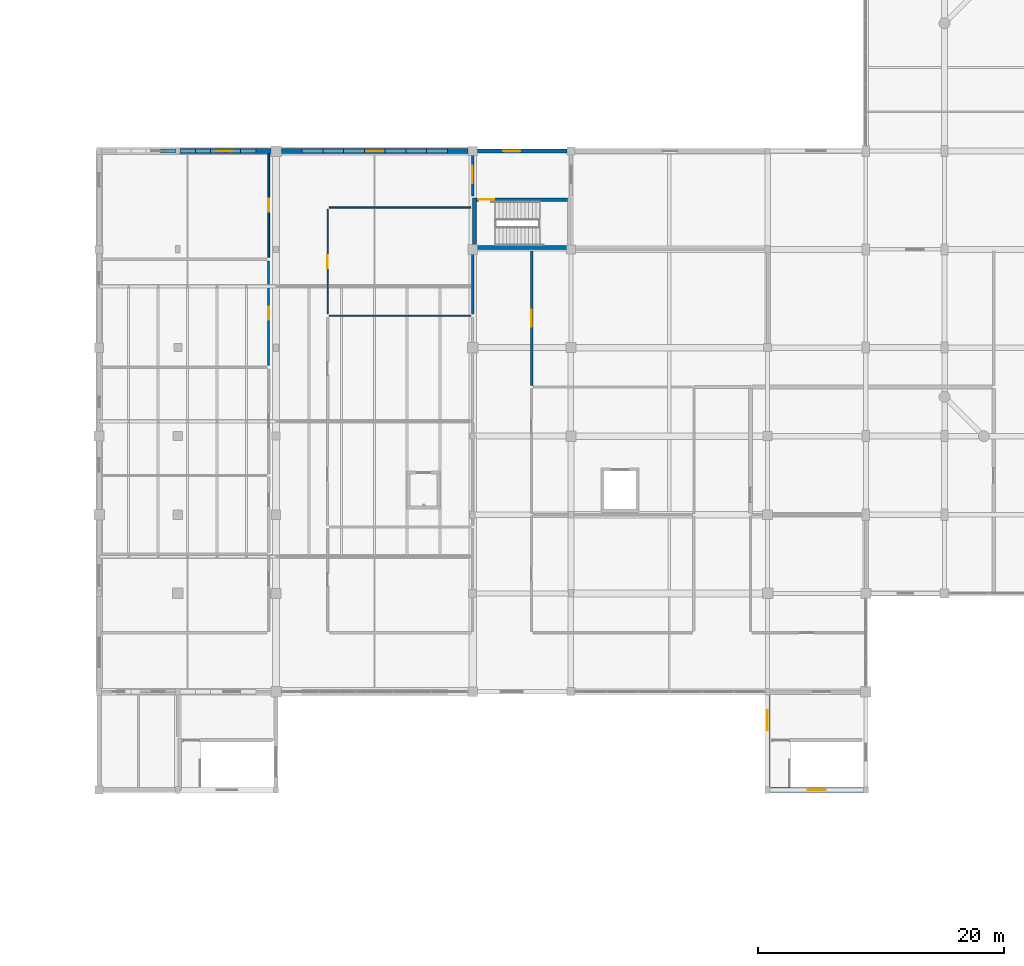
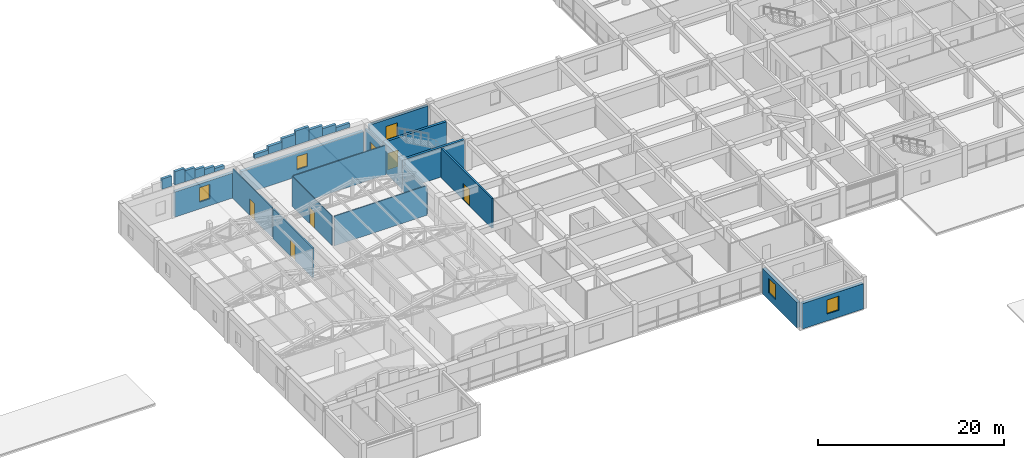
# One storey, part 28 of 35: 29 walls, 6 doors, 5 windows, 11 openings.
"""IFC4 building model written with IfcOpenShell, lengths in metres."""

from ifc_helpers import new_model, si_unit, direction, frame, frame_2d, origin, place, context, subcontext, project, spatial, rectangle, extrude, material, layer, layer_set, type_object, element, fill, save


model = new_model("IFC4")

# Units and contexts
model_context = context("Model", 3, precision=1e-05, world=origin(), true_north=direction((0.0, 1.0)))
body_context = subcontext(model_context, "Body", "Model", "MODEL_VIEW")
ifc_project = project(units=[si_unit("LENGTHUNIT", "METRE"), si_unit("AREAUNIT", "SQUARE_METRE"), si_unit("VOLUMEUNIT", "CUBIC_METRE"), si_unit("PLANEANGLEUNIT", "RADIAN"), si_unit("MASSUNIT", "GRAM", prefix="KILO")], contexts=[model_context])

# Site, building, storey
site_placement = place(None, origin())
site = spatial("IfcSite", under=ifc_project, at=site_placement, CompositionType="ELEMENT")
building_placement = place(site_placement, origin())
building = spatial("IfcBuilding", under=site, at=building_placement, Name="Vellmiral Cinema and Media Centre", CompositionType="ELEMENT")
storey_placement = place(building_placement, frame((0.0, 0.0, 15.60009765625)))
storey = spatial("IfcBuildingStorey", under=building, at=storey_placement, Name="L03", CompositionType="ELEMENT", Elevation=15.60009765625)

# Wall, opening, door
ifc_material_1 = material(Name="Concrete C40/50", Category="concrete")
ifc_layer_1 = layer(ifc_material_1, 0.2099609375, Name="Concrete C40/50")
ifc_layer_set_1 = layer_set([ifc_layer_1], Name="Concrete C40/50")
wall_type_1 = type_object("IfcWallType", Name="WL-COMP-210", PredefinedType="SOLIDWALL", material=ifc_layer_set_1)
wall_1_placement = place(storey_placement, frame((83.199951171875, 76.139892578125, 0.0), z_axis=(0.0, 0.0, 1.0), x_axis=(0.0, 1.0, 0.0)))
wall_1 = element("IfcWall", 1, at=wall_1_placement, inside=storey, type_object=wall_type_1, Name="Media Library Reference Stacks Wall W", PredefinedType="SOLIDWALL", context=body_context, shape_type="SweptSolid", body=[
    extrude(rectangle(XDim=10.920166015625, YDim=0.2099609375, at=frame_2d((5.4599609375, 0.0))), origin(), (0.0, 0.0, 1.0), 3.89990234375),
])
opening_1_placement = place(wall_1_placement, frame((4.760009765625, 0.0, 0.0)))
opening_1 = element("IfcOpeningElement", 2, at=opening_1_placement, cuts=wall_1, Name="Opening D-FD60B", PredefinedType="OPENING", context=body_context, shape_type="SweptSolid", body=[
    extrude(rectangle(XDim=1.39990234375, YDim=2.199951171875, at=frame_2d((0.699951171875, 1.10009765625))), frame((0.0, 0.116943359375, 0.0), z_axis=(0.0, -1.0, 0.0), x_axis=(1.0, 0.0, 0.0)), (0.0, 0.0, 1.0), 0.23388671875),
])
ifc_material_2 = material(Name="Steel Fire Door", Category="steel")
door_type_1 = type_object("IfcDoorType", Name="DR-FD60-1400x2200", OperationType="NOTDEFINED", PredefinedType="DOOR", material=ifc_material_2)
door_1_placement = place(opening_1_placement, frame((1.39990234375, 0.0, 0.0), z_axis=(0.0, 0.0, 1.0), x_axis=(-1.0, 0.0, 0.0)))
door_1 = element("IfcDoor", 3, at=door_1_placement, inside=storey, type_object=door_type_1, Name="Media Library Reference Stacks Door", OperationType="SINGLE_SWING_LEFT", OverallHeight=2.199951171875, OverallWidth=1.39990234375, PredefinedType="DOOR", context=body_context, shape_type="SweptSolid", body=[
    extrude(rectangle(XDim=1.39990234375, YDim=2.199951171875, at=frame_2d((0.699951171875, 1.10009765625))), frame((0.0, 0.02490234375, 0.0), z_axis=(0.0, -1.0, 0.0), x_axis=(1.0, 0.0, 0.0)), (0.0, 0.0, 1.0), 0.050048828125),
])
fill(opening_1, door_1)

# Walls
ifc_material_3 = material(Name="Concrete C40/50", Category="concrete")
ifc_layer_2 = layer(ifc_material_3, 0.300048828125, Name="Concrete C40/50")
ifc_layer_set_2 = layer_set([ifc_layer_2], Name="Concrete C40/50")
wall_type_2 = type_object("IfcWallType", Name="WL-CORE-300", PredefinedType="SHEAR", material=ifc_layer_set_2)
wall_2_placement = place(storey_placement, frame((78.550048828125, 87.199951171875, 0.0), z_axis=(0.0, 0.0, 1.0), x_axis=(0.0, 1.0, 0.0)))
element("IfcWall", 4, at=wall_2_placement, inside=storey, type_object=wall_type_2, Name="Stair Core Wall ST-P5 L03-W", PredefinedType="SHEAR", context=body_context, shape_type="SweptSolid", body=[
    extrude(rectangle(XDim=4.199951171875, YDim=0.300048828125, at=frame_2d((2.10009765625, 0.0))), origin(), (0.0, 0.0, 1.0), 3.89990234375),
])
wall_3_placement = place(storey_placement, frame((78.699951171875, 87.35009765625, 0.0), z_axis=(0.0, 0.0, 1.0), x_axis=(1.0, 0.0, 0.0)))
element("IfcWall", 5, at=wall_3_placement, inside=storey, type_object=wall_type_2, Name="Stair Core Wall ST-P5 L03-S", PredefinedType="SHEAR", context=body_context, shape_type="SweptSolid", body=[
    extrude(rectangle(XDim=7.400146484375, YDim=0.300048828125, at=frame_2d((3.7001953125, 0.0))), origin(), (0.0, 0.0, 1.0), 3.89990234375),
])

# Wall, opening, door
wall_4_placement = place(storey_placement, frame((78.699951171875, 91.25, 0.0), z_axis=(0.0, 0.0, 1.0), x_axis=(1.0, 0.0, 0.0)))
wall_4 = element("IfcWall", 6, at=wall_4_placement, inside=storey, type_object=wall_type_2, Name="Stair Core Wall ST-P5 L03-N", PredefinedType="SHEAR", context=body_context, shape_type="SweptSolid", body=[
    extrude(rectangle(XDim=7.400146484375, YDim=0.300048828125, at=frame_2d((3.7001953125, 0.0))), origin(), (0.0, 0.0, 1.0), 3.89990234375),
])
opening_2_placement = place(wall_4_placement, frame((0.159912109375, 0.0, 0.0)))
opening_2 = element("IfcOpeningElement", 7, at=opening_2_placement, cuts=wall_4, Name="Opening D-FD30A", PredefinedType="OPENING", context=body_context, shape_type="SweptSolid", body=[
    extrude(rectangle(XDim=1.300048828125, YDim=2.179931640625, at=frame_2d((0.64990234375, 1.08984375))), frame((0.0, 0.162109375, 0.0), z_axis=(0.0, -1.0, 0.0), x_axis=(1.0, 0.0, 0.0)), (0.0, 0.0, 1.0), 0.323974609375),
])
ifc_material_4 = material(Name="Steel Stair Fire Door", Category="steel")
door_type_2 = type_object("IfcDoorType", Name="DR-FD30-1300x2180", OperationType="NOTDEFINED", PredefinedType="DOOR", material=ifc_material_4)
door_2_placement = place(opening_2_placement, frame((1.300048828125, 0.0, 0.0), z_axis=(0.0, 0.0, 1.0), x_axis=(-1.0, 0.0, 0.0)))
door_2 = element("IfcDoor", 8, at=door_2_placement, inside=storey, type_object=door_type_2, Name="Protected Stair Door ST-P5 L03", OperationType="SINGLE_SWING_RIGHT", OverallHeight=2.179931640625, OverallWidth=1.300048828125, PredefinedType="DOOR", context=body_context, shape_type="SweptSolid", body=[
    extrude(rectangle(XDim=1.300048828125, YDim=2.179931640625, at=frame_2d((0.64990234375, 1.08984375))), frame((0.0, 0.02490234375, 0.0), z_axis=(0.0, -1.0, 0.0), x_axis=(1.0, 0.0, 0.0)), (0.0, 0.0, 1.0), 0.050048828125),
])
fill(opening_2, door_2)

# Wall, opening, window
ifc_material_5 = material(Name="Polychrome Glazed Ceramic Cladding", Category="masonry")
ifc_layer_3 = layer(ifc_material_5, 0.320068359375, Name="Polychrome Glazed Ceramic Cladding")
ifc_layer_set_3 = layer_set([ifc_layer_3], Name="Polychrome Glazed Ceramic Cladding")
wall_type_3 = type_object("IfcWallType", Name="WL-EXT-BRICK-320", PredefinedType="SOLIDWALL", material=ifc_layer_set_3)
wall_5_placement = place(storey_placement, frame((86.074951171875, 95.199951171875, 0.0), z_axis=(0.0, 0.0, 1.0), x_axis=(-1.0, 0.0, 0.0)))
wall_5 = element("IfcWall", 9, at=wall_5_placement, inside=storey, type_object=wall_type_3, Name="Exterior Facade Wall L03-039", PredefinedType="SOLIDWALL", context=body_context, shape_type="SweptSolid", body=[
    extrude(rectangle(XDim=7.300048828125, YDim=0.320068359375, at=frame_2d((3.64990234375, 0.0))), origin(), (0.0, 0.0, 1.0), 3.594970703125),
])
opening_3_placement = place(wall_5_placement, frame((3.800048828125, 0.0, 0.89990234375)))
opening_3 = element("IfcOpeningElement", 10, at=opening_3_placement, cuts=wall_5, Name="Opening WN-07", PredefinedType="OPENING", context=body_context, shape_type="SweptSolid", body=[
    extrude(rectangle(XDim=1.39990234375, YDim=1.800048828125, at=frame_2d((0.699951171875, 0.89990234375))), frame((0.0, 0.171875, 0.0), z_axis=(0.0, -1.0, 0.0), x_axis=(1.0, 0.0, 0.0)), (0.0, 0.0, 1.0), 0.343994140625),
])
ifc_material_6 = material(Name="Thermally Broken Aluminium Triple Glazing", Category="aluminium")
window_type_1 = type_object("IfcWindowType", Name="WN-1400x1800", PartitioningType="SINGLE_PANEL", PredefinedType="WINDOW", material=ifc_material_6)
window_1_placement = place(opening_3_placement, origin())
window_1 = element("IfcWindow", 11, at=window_1_placement, inside=storey, type_object=window_type_1, Name="Window L03-039", OverallHeight=1.800048828125, OverallWidth=1.39990234375, PartitioningType="SINGLE_PANEL", PredefinedType="WINDOW", context=body_context, shape_type="SweptSolid", body=[
    extrude(rectangle(XDim=1.39990234375, YDim=1.800048828125, at=frame_2d((0.699951171875, 0.89990234375))), frame((0.0, 0.030029296875, 0.0), z_axis=(0.0, -1.0, 0.0), x_axis=(1.0, 0.0, 0.0)), (0.0, 0.0, 1.0), 0.06005859375),
])
fill(opening_3, window_1)

# Walls
ifc_material_7 = material(Name="Vosges Red Sandstone Masonry", Category="masonry")
ifc_layer_4 = layer(ifc_material_7, 0.340087890625, Name="Vosges Red Sandstone Masonry")
ifc_layer_set_4 = layer_set([ifc_layer_4], Name="Vosges Red Sandstone Masonry")
wall_type_4 = type_object("IfcWallType", Name="WL-EXT-SAND-340", PredefinedType="SOLIDWALL", material=ifc_layer_set_4)
wall_6_placement = place(storey_placement, frame((53.0, 95.199951171875, 4.199951171875), z_axis=(0.0, 0.0, 1.0), x_axis=(1.0, 0.0, 0.0)))
element("IfcWall", 12, at=wall_6_placement, inside=storey, type_object=wall_type_4, Name="Central Media Library West Barrel Vault Gable End Wall N-4", PredefinedType="SOLIDWALL", context=body_context, shape_type="SweptSolid", body=[
    extrude(rectangle(XDim=1.199951171875, YDim=0.340087890625, at=frame_2d((0.60009765625, 0.0))), origin(), (0.0, 0.0, 1.0), 1.339599609375),
])
wall_7_placement = place(storey_placement, frame((54.60009765625, 95.199951171875, 4.199951171875), z_axis=(0.0, 0.0, 1.0), x_axis=(1.0, 0.0, 0.0)))
element("IfcWall", 13, at=wall_7_placement, inside=storey, type_object=wall_type_4, Name="Central Media Library West Barrel Vault Gable End Wall N-5", PredefinedType="SOLIDWALL", context=body_context, shape_type="SweptSolid", body=[
    extrude(rectangle(XDim=1.22900390625, YDim=0.340087890625, at=frame_2d((0.614501953125, 0.0))), origin(), (0.0, 0.0, 1.0), 1.760498046875),
])
wall_8_placement = place(storey_placement, frame((55.8291015625, 95.199951171875, 4.199951171875), z_axis=(0.0, 0.0, 1.0), x_axis=(1.0, 0.0, 0.0)))
element("IfcWall", 14, at=wall_8_placement, inside=storey, type_object=wall_type_4, Name="Central Media Library West Barrel Vault Gable End Wall N-6", PredefinedType="SOLIDWALL", context=body_context, shape_type="SweptSolid", body=[
    extrude(rectangle(XDim=1.229248046875, YDim=0.340087890625, at=frame_2d((0.61474609375, 0.0))), origin(), (0.0, 0.0, 1.0), 1.43115234375),
])
wall_9_placement = place(storey_placement, frame((57.058349609375, 95.199951171875, 4.199951171875), z_axis=(0.0, 0.0, 1.0), x_axis=(1.0, 0.0, 0.0)))
element("IfcWall", 15, at=wall_9_placement, inside=storey, type_object=wall_type_4, Name="Central Media Library West Barrel Vault Gable End Wall N-7", PredefinedType="SOLIDWALL", context=body_context, shape_type="SweptSolid", body=[
    extrude(rectangle(XDim=1.229248046875, YDim=0.340087890625, at=frame_2d((0.61474609375, 0.0))), origin(), (0.0, 0.0, 1.0), 1.101806640625),
])
wall_10_placement = place(storey_placement, frame((58.28759765625, 95.199951171875, 4.199951171875), z_axis=(0.0, 0.0, 1.0), x_axis=(1.0, 0.0, 0.0)))
element("IfcWall", 16, at=wall_10_placement, inside=storey, type_object=wall_type_4, Name="Central Media Library West Barrel Vault Gable End Wall N-8", PredefinedType="SOLIDWALL", context=body_context, shape_type="SweptSolid", body=[
    extrude(rectangle(XDim=1.22900390625, YDim=0.340087890625, at=frame_2d((0.614501953125, 0.0))), origin(), (0.0, 0.0, 1.0), 0.7724609375),
])
wall_11_placement = place(storey_placement, frame((59.5166015625, 95.199951171875, 4.199951171875), z_axis=(0.0, 0.0, 1.0), x_axis=(1.0, 0.0, 0.0)))
element("IfcWall", 17, at=wall_11_placement, inside=storey, type_object=wall_type_4, Name="Central Media Library West Barrel Vault Gable End Wall N-9", PredefinedType="SOLIDWALL", context=body_context, shape_type="SweptSolid", body=[
    extrude(rectangle(XDim=1.229248046875, YDim=0.340087890625, at=frame_2d((0.61474609375, 0.0))), origin(), (0.0, 0.0, 1.0), 0.443115234375),
])
wall_12_placement = place(storey_placement, frame((64.513916015625, 95.199951171875, 4.199951171875), z_axis=(0.0, 0.0, 1.0), x_axis=(1.0, 0.0, 0.0)))
element("IfcWall", 18, at=wall_12_placement, inside=storey, type_object=wall_type_4, Name="Central Editing Hall East Barrel Vault Gable End Wall N-1", PredefinedType="SOLIDWALL", context=body_context, shape_type="SweptSolid", body=[
    extrude(rectangle(XDim=1.68896484375, YDim=0.340087890625, at=frame_2d((0.844482421875, 0.0))), origin(), (0.0, 0.0, 1.0), 0.546630859375),
])
wall_13_placement = place(storey_placement, frame((66.202880859375, 95.199951171875, 4.199951171875), z_axis=(0.0, 0.0, 1.0), x_axis=(1.0, 0.0, 0.0)))
element("IfcWall", 19, at=wall_13_placement, inside=storey, type_object=wall_type_4, Name="Central Editing Hall East Barrel Vault Gable End Wall N-2", PredefinedType="SOLIDWALL", context=body_context, shape_type="SweptSolid", body=[
    extrude(rectangle(XDim=1.688720703125, YDim=0.340087890625, at=frame_2d((0.84423828125, 0.0))), origin(), (0.0, 0.0, 1.0), 0.9833984375),
])
wall_14_placement = place(storey_placement, frame((67.8916015625, 95.199951171875, 4.199951171875), z_axis=(0.0, 0.0, 1.0), x_axis=(1.0, 0.0, 0.0)))
element("IfcWall", 20, at=wall_14_placement, inside=storey, type_object=wall_type_4, Name="Central Editing Hall East Barrel Vault Gable End Wall N-3", PredefinedType="SOLIDWALL", context=body_context, shape_type="SweptSolid", body=[
    extrude(rectangle(XDim=1.68896484375, YDim=0.340087890625, at=frame_2d((0.844482421875, 0.0))), origin(), (0.0, 0.0, 1.0), 1.420166015625),
])
wall_15_placement = place(storey_placement, frame((69.58056640625, 95.199951171875, 4.199951171875), z_axis=(0.0, 0.0, 1.0), x_axis=(1.0, 0.0, 0.0)))
element("IfcWall", 21, at=wall_15_placement, inside=storey, type_object=wall_type_4, Name="Central Editing Hall East Barrel Vault Gable End Wall N-4", PredefinedType="SOLIDWALL", context=body_context, shape_type="SweptSolid", body=[
    extrude(rectangle(XDim=1.688720703125, YDim=0.340087890625, at=frame_2d((0.84423828125, 0.0))), origin(), (0.0, 0.0, 1.0), 1.843994140625),
])
wall_16_placement = place(storey_placement, frame((71.269287109375, 95.199951171875, 4.199951171875), z_axis=(0.0, 0.0, 1.0), x_axis=(1.0, 0.0, 0.0)))
element("IfcWall", 22, at=wall_16_placement, inside=storey, type_object=wall_type_4, Name="Central Editing Hall East Barrel Vault Gable End Wall N-5", PredefinedType="SOLIDWALL", context=body_context, shape_type="SweptSolid", body=[
    extrude(rectangle(XDim=1.68896484375, YDim=0.340087890625, at=frame_2d((0.844482421875, 0.0))), origin(), (0.0, 0.0, 1.0), 1.4072265625),
])
wall_17_placement = place(storey_placement, frame((72.958251953125, 95.199951171875, 4.199951171875), z_axis=(0.0, 0.0, 1.0), x_axis=(1.0, 0.0, 0.0)))
element("IfcWall", 23, at=wall_17_placement, inside=storey, type_object=wall_type_4, Name="Central Editing Hall East Barrel Vault Gable End Wall N-6", PredefinedType="SOLIDWALL", context=body_context, shape_type="SweptSolid", body=[
    extrude(rectangle(XDim=1.68896484375, YDim=0.340087890625, at=frame_2d((0.844482421875, 0.0))), origin(), (0.0, 0.0, 1.0), 0.970458984375),
])
wall_18_placement = place(storey_placement, frame((74.647216796875, 95.199951171875, 4.199951171875), z_axis=(0.0, 0.0, 1.0), x_axis=(1.0, 0.0, 0.0)))
element("IfcWall", 24, at=wall_18_placement, inside=storey, type_object=wall_type_4, Name="Central Editing Hall East Barrel Vault Gable End Wall N-7", PredefinedType="SOLIDWALL", context=body_context, shape_type="SweptSolid", body=[
    extrude(rectangle(XDim=1.68896484375, YDim=0.340087890625, at=frame_2d((0.844482421875, 0.0))), origin(), (0.0, 0.0, 1.0), 0.53369140625),
])

# Wall, opening, window
ifc_material_8 = material(Name="Vosges Red Sandstone Masonry", Category="masonry")
ifc_layer_5 = layer(ifc_material_8, 0.3798828125, Name="Vosges Red Sandstone Masonry")
ifc_layer_set_5 = layer_set([ifc_layer_5], Name="Vosges Red Sandstone Masonry")
wall_type_5 = type_object("IfcWallType", Name="WL-EXT-SAND-380", PredefinedType="SOLIDWALL", material=ifc_layer_set_5)
wall_19_placement = place(storey_placement, frame((102.39990234375, 50.949951171875, 0.0), z_axis=(0.0, 0.0, 1.0), x_axis=(0.0, -1.0, 0.0)))
wall_19 = element("IfcWall", 25, at=wall_19_placement, inside=storey, type_object=wall_type_5, Name="Exterior Facade Wall L03-007", PredefinedType="SOLIDWALL", context=body_context, shape_type="SweptSolid", body=[
    extrude(rectangle(XDim=7.449951171875, YDim=0.3798828125, at=frame_2d((3.72509765625, 0.0))), origin(), (0.0, 0.0, 1.0), 3.3349609375),
])
opening_4_placement = place(wall_19_placement, frame((1.27490234375, 0.0, 0.89990234375)))
opening_4 = element("IfcOpeningElement", 26, at=opening_4_placement, cuts=wall_19, Name="Opening WN-05", PredefinedType="OPENING", context=body_context, shape_type="SweptSolid", body=[
    extrude(rectangle(XDim=1.60009765625, YDim=1.949951171875, at=frame_2d((0.800048828125, 0.97509765625))), frame((0.0, 0.201904296875, 0.0), z_axis=(0.0, -1.0, 0.0), x_axis=(1.0, 0.0, 0.0)), (0.0, 0.0, 1.0), 0.40380859375),
])
ifc_material_9 = material(Name="Thermally Broken Aluminium Triple Glazing", Category="aluminium")
window_type_2 = type_object("IfcWindowType", Name="WN-1600x1950", PartitioningType="DOUBLE_PANEL_VERTICAL", PredefinedType="WINDOW", material=ifc_material_9)
window_2_placement = place(opening_4_placement, origin())
window_2 = element("IfcWindow", 27, at=window_2_placement, inside=storey, type_object=window_type_2, Name="Window L03-007", OverallHeight=1.949951171875, OverallWidth=1.60009765625, PartitioningType="DOUBLE_PANEL_VERTICAL", PredefinedType="WINDOW", context=body_context, shape_type="SweptSolid", body=[
    extrude(rectangle(XDim=1.60009765625, YDim=1.949951171875, at=frame_2d((0.800048828125, 0.97509765625))), frame((0.0, 0.030029296875, 0.0), z_axis=(0.0, -1.0, 0.0), x_axis=(1.0, 0.0, 0.0)), (0.0, 0.0, 1.0), 0.06005859375),
])
fill(opening_4, window_2)

wall_20_placement = place(storey_placement, frame((102.60009765625, 43.199951171875, 0.0), z_axis=(0.0, 0.0, 1.0), x_axis=(1.0, 0.0, 0.0)))
wall_20 = element("IfcWall", 28, at=wall_20_placement, inside=storey, type_object=wall_type_5, Name="Exterior Facade Wall L03-008", PredefinedType="SOLIDWALL", context=body_context, shape_type="SweptSolid", body=[
    extrude(rectangle(XDim=7.599853515625, YDim=0.3798828125, at=frame_2d((3.7998046875, 0.0))), origin(), (0.0, 0.0, 1.0), 3.3349609375),
])
opening_5_placement = place(wall_20_placement, frame((3.050048828125, 0.0, 0.89990234375)))
opening_5 = element("IfcOpeningElement", 29, at=opening_5_placement, cuts=wall_20, Name="Opening WN-06", PredefinedType="OPENING", context=body_context, shape_type="SweptSolid", body=[
    extrude(rectangle(XDim=1.5, YDim=1.85009765625, at=frame_2d((0.75, 0.925048828125))), frame((0.0, 0.201904296875, 0.0), z_axis=(0.0, -1.0, 0.0), x_axis=(1.0, 0.0, 0.0)), (0.0, 0.0, 1.0), 0.40380859375),
])
ifc_material_10 = material(Name="Thermally Broken Aluminium Triple Glazing", Category="aluminium")
window_type_3 = type_object("IfcWindowType", Name="WN-1500x1850", PartitioningType="SINGLE_PANEL", PredefinedType="WINDOW", material=ifc_material_10)
window_3_placement = place(opening_5_placement, origin())
window_3 = element("IfcWindow", 30, at=window_3_placement, inside=storey, type_object=window_type_3, Name="Window L03-008", OverallHeight=1.85009765625, OverallWidth=1.5, PartitioningType="SINGLE_PANEL", PredefinedType="WINDOW", context=body_context, shape_type="SweptSolid", body=[
    extrude(rectangle(XDim=1.5, YDim=1.85009765625, at=frame_2d((0.75, 0.925048828125))), frame((0.0, 0.030029296875, 0.0), z_axis=(0.0, -1.0, 0.0), x_axis=(1.0, 0.0, 0.0)), (0.0, 0.0, 1.0), 0.06005859375),
])
fill(opening_5, window_3)

wall_21_placement = place(storey_placement, frame((78.02490234375, 95.199951171875, 0.0), z_axis=(0.0, 0.0, 1.0), x_axis=(-1.0, 0.0, 0.0)))
wall_21 = element("IfcWall", 31, at=wall_21_placement, inside=storey, type_object=wall_type_5, Name="Exterior Facade Wall L03-040", PredefinedType="SOLIDWALL", context=body_context, shape_type="SweptSolid", body=[
    extrude(rectangle(XDim=15.199951171875, YDim=0.3798828125, at=frame_2d((7.60009765625, 0.0))), origin(), (0.0, 0.0, 1.0), 3.08984375),
])
opening_6_placement = place(wall_21_placement, frame((6.925048828125, 0.0, 0.89990234375)))
opening_6 = element("IfcOpeningElement", 32, at=opening_6_placement, cuts=wall_21, Name="Opening WN-08", PredefinedType="OPENING", context=body_context, shape_type="SweptSolid", body=[
    extrude(rectangle(XDim=1.35009765625, YDim=1.75, at=frame_2d((0.675048828125, 0.875))), frame((0.0, 0.201904296875, 0.0), z_axis=(0.0, -1.0, 0.0), x_axis=(1.0, 0.0, 0.0)), (0.0, 0.0, 1.0), 0.40380859375),
])
ifc_material_11 = material(Name="Thermally Broken Aluminium Triple Glazing", Category="aluminium")
window_type_4 = type_object("IfcWindowType", Name="WN-1350x1750", PartitioningType="SINGLE_PANEL", PredefinedType="WINDOW", material=ifc_material_11)
window_4_placement = place(opening_6_placement, origin())
window_4 = element("IfcWindow", 33, at=window_4_placement, inside=storey, type_object=window_type_4, Name="Window L03-040", OverallHeight=1.75, OverallWidth=1.35009765625, PartitioningType="SINGLE_PANEL", PredefinedType="WINDOW", context=body_context, shape_type="SweptSolid", body=[
    extrude(rectangle(XDim=1.35009765625, YDim=1.75, at=frame_2d((0.675048828125, 0.875))), frame((0.0, 0.030029296875, 0.0), z_axis=(0.0, -1.0, 0.0), x_axis=(1.0, 0.0, 0.0)), (0.0, 0.0, 1.0), 0.06005859375),
])
fill(opening_6, window_4)

wall_22_placement = place(storey_placement, frame((61.97509765625, 95.199951171875, 0.0), z_axis=(0.0, 0.0, 1.0), x_axis=(-1.0, 0.0, 0.0)))
wall_22 = element("IfcWall", 34, at=wall_22_placement, inside=storey, type_object=wall_type_5, Name="Exterior Facade Wall L03-041", PredefinedType="SOLIDWALL", context=body_context, shape_type="SweptSolid", body=[
    extrude(rectangle(XDim=7.375, YDim=0.3798828125, at=frame_2d((3.6875, 0.0))), origin(), (0.0, 0.0, 1.0), 3.2998046875),
])
opening_7_placement = place(wall_22_placement, frame((3.0625, 0.0, 0.89990234375)))
opening_7 = element("IfcOpeningElement", 35, at=opening_7_placement, cuts=wall_22, Name="Opening WN-09", PredefinedType="OPENING", context=body_context, shape_type="SweptSolid", body=[
    extrude(rectangle(XDim=1.25, YDim=1.89990234375, at=frame_2d((0.625, 0.949951171875))), frame((0.0, 0.201904296875, 0.0), z_axis=(0.0, -1.0, 0.0), x_axis=(1.0, 0.0, 0.0)), (0.0, 0.0, 1.0), 0.40380859375),
])
ifc_material_12 = material(Name="Thermally Broken Aluminium Triple Glazing", Category="aluminium")
window_type_5 = type_object("IfcWindowType", Name="WN-1250x1900", PartitioningType="SINGLE_PANEL", PredefinedType="WINDOW", material=ifc_material_12)
window_5_placement = place(opening_7_placement, origin())
window_5 = element("IfcWindow", 36, at=window_5_placement, inside=storey, type_object=window_type_5, Name="Window L03-041", OverallHeight=1.89990234375, OverallWidth=1.25, PartitioningType="SINGLE_PANEL", PredefinedType="WINDOW", context=body_context, shape_type="SweptSolid", body=[
    extrude(rectangle(XDim=1.25, YDim=1.89990234375, at=frame_2d((0.625, 0.949951171875))), frame((0.0, 0.030029296875, 0.0), z_axis=(0.0, -1.0, 0.0), x_axis=(1.0, 0.0, 0.0)), (0.0, 0.0, 1.0), 0.06005859375),
])
fill(opening_7, window_5)

# Wall, opening, door
ifc_material_13 = material(Name="Concrete C40/50", Category="concrete")
ifc_layer_6 = layer(ifc_material_13, 0.22998046875, Name="Concrete C40/50")
ifc_layer_set_6 = layer_set([ifc_layer_6], Name="Concrete C40/50")
wall_type_6 = type_object("IfcWallType", Name="WL-FFL-230", PredefinedType="SOLIDWALL", material=ifc_layer_set_6)
wall_23_placement = place(storey_placement, frame((78.39990234375, 91.5400390625, 0.0), z_axis=(0.0, 0.0, 1.0), x_axis=(0.0, 1.0, 0.0)))
wall_23 = element("IfcWall", 37, at=wall_23_placement, inside=storey, type_object=wall_type_6, Name="Firefighting Stair Lobby ST-P5 Wall W", PredefinedType="SOLIDWALL", context=body_context, shape_type="SweptSolid", body=[
    extrude(rectangle(XDim=3.554931640625, YDim=0.22998046875, at=frame_2d((1.77734375, 0.0))), origin(), (0.0, 0.0, 1.0), 3.2998046875),
])
opening_8_placement = place(wall_23_placement, frame((1.06005859375, 0.0, 0.0)))
opening_8 = element("IfcOpeningElement", 38, at=opening_8_placement, cuts=wall_23, Name="Opening D-FD60B", PredefinedType="OPENING", context=body_context, shape_type="SweptSolid", body=[
    extrude(rectangle(XDim=1.39990234375, YDim=2.199951171875, at=frame_2d((0.699951171875, 1.10009765625))), frame((0.0, 0.126953125, 0.0), z_axis=(0.0, -1.0, 0.0), x_axis=(1.0, 0.0, 0.0)), (0.0, 0.0, 1.0), 0.25390625),
])
door_3_placement = place(opening_8_placement, frame((1.39990234375, 0.0, 0.0), z_axis=(0.0, 0.0, 1.0), x_axis=(-1.0, 0.0, 0.0)))
door_3 = element("IfcDoor", 39, at=door_3_placement, inside=storey, type_object=door_type_1, Name="Firefighting Stair Lobby ST-P5 Door", OperationType="SINGLE_SWING_LEFT", OverallHeight=2.199951171875, OverallWidth=1.39990234375, PredefinedType="DOOR", context=body_context, shape_type="SweptSolid", body=[
    extrude(rectangle(XDim=1.39990234375, YDim=2.199951171875, at=frame_2d((0.699951171875, 1.10009765625))), frame((0.0, 0.02490234375, 0.0), z_axis=(0.0, -1.0, 0.0), x_axis=(1.0, 0.0, 0.0)), (0.0, 0.0, 1.0), 0.050048828125),
])
fill(opening_8, door_3)

# Wall
ifc_material_14 = material(Name="Gypsum Plasterboard")
ifc_layer_7 = layer(ifc_material_14, 0.02490234375, Name="Gypsum Plasterboard", Category="gypsum")
ifc_material_15 = material(Name="Mineral Wool Acoustic Insulation", Category="insulation")
ifc_layer_8 = layer(ifc_material_15, 0.06005859375, Name="Mineral Wool Acoustic Insulation", Category="insulation")
ifc_layer_9 = layer(ifc_material_14, 0.02490234375, Name="Gypsum Plasterboard", Category="gypsum")
ifc_layer_set_7 = layer_set([ifc_layer_7, ifc_layer_8, ifc_layer_9], Name="Gypsum Plasterboard")
wall_type_7 = type_object("IfcWallType", Name="WL-PART-110", PredefinedType="PARTITIONING", material=ifc_layer_set_7)
wall_24_placement = place(storey_placement, frame((66.739990234375, 81.800048828125, 0.0), z_axis=(0.0, 0.0, 1.0), x_axis=(1.0, 0.0, 0.0)))
element("IfcWall", 40, at=wall_24_placement, inside=storey, type_object=wall_type_7, Name="Editing Suite 08 Wall N", PredefinedType="PARTITIONING", context=body_context, shape_type="SweptSolid", body=[
    extrude(rectangle(XDim=11.52001953125, YDim=0.110107421875, at=frame_2d((5.760009765625, 0.0))), origin(), (0.0, 0.0, 1.0), 3.89990234375),
])

# Wall, opening, door
wall_25_placement = place(storey_placement, frame((66.60009765625, 81.93994140625, 0.0), z_axis=(0.0, 0.0, 1.0), x_axis=(0.0, 1.0, 0.0)))
wall_25 = element("IfcWall", 41, at=wall_25_placement, inside=storey, type_object=wall_type_7, Name="Editing Suite 09 Wall W", PredefinedType="PARTITIONING", context=body_context, shape_type="SweptSolid", body=[
    extrude(rectangle(XDim=8.52001953125, YDim=0.110107421875, at=frame_2d((4.260009765625, 0.0))), origin(), (0.0, 0.0, 1.0), 3.89990234375),
])
opening_9_placement = place(wall_25_placement, frame((3.735107421875, 0.0, 0.0)))
opening_9 = element("IfcOpeningElement", 42, at=opening_9_placement, cuts=wall_25, Name="Opening D-AC6", PredefinedType="OPENING", context=body_context, shape_type="SweptSolid", body=[
    extrude(rectangle(XDim=1.050048828125, YDim=2.14990234375, at=frame_2d((0.52490234375, 1.074951171875))), frame((0.0, 0.06689453125, 0.0), z_axis=(0.0, -1.0, 0.0), x_axis=(1.0, 0.0, 0.0)), (0.0, 0.0, 1.0), 0.134033203125),
])
ifc_material_16 = material(Name="Acoustic Editing Suite Door", Category="wood")
door_type_3 = type_object("IfcDoorType", Name="DR-AC-1050x2150", OperationType="NOTDEFINED", PredefinedType="DOOR", material=ifc_material_16)
door_4_placement = place(opening_9_placement, frame((1.050048828125, 0.0, 0.0), z_axis=(0.0, 0.0, 1.0), x_axis=(-1.0, 0.0, 0.0)))
door_4 = element("IfcDoor", 43, at=door_4_placement, inside=storey, type_object=door_type_3, Name="Editing Suite 09 Door", OperationType="SINGLE_SWING_LEFT", OverallHeight=2.14990234375, OverallWidth=1.050048828125, PredefinedType="DOOR", context=body_context, shape_type="SweptSolid", body=[
    extrude(rectangle(XDim=1.050048828125, YDim=2.14990234375, at=frame_2d((0.52490234375, 1.074951171875))), frame((0.0, 0.02490234375, 0.0), z_axis=(0.0, -1.0, 0.0), x_axis=(1.0, 0.0, 0.0)), (0.0, 0.0, 1.0), 0.050048828125),
])
fill(opening_9, door_4)

ifc_material_17 = material(Name="Gypsum Plasterboard")
ifc_layer_10 = layer(ifc_material_17, 0.02490234375, Name="Gypsum Plasterboard", Category="gypsum")
ifc_material_18 = material(Name="Mineral Wool Acoustic Insulation", Category="insulation")
ifc_layer_11 = layer(ifc_material_18, 0.080078125, Name="Mineral Wool Acoustic Insulation", Category="insulation")
ifc_layer_12 = layer(ifc_material_17, 0.02490234375, Name="Gypsum Plasterboard", Category="gypsum")
ifc_layer_set_8 = layer_set([ifc_layer_10, ifc_layer_11, ifc_layer_12], Name="Gypsum Plasterboard")
wall_type_8 = type_object("IfcWallType", Name="WL-PART-130", PredefinedType="PARTITIONING", material=ifc_layer_set_8)
wall_26_placement = place(storey_placement, frame((61.800048828125, 86.5400390625, 0.0), z_axis=(0.0, 0.0, 1.0), x_axis=(0.0, 1.0, 0.0)))
wall_26 = element("IfcWall", 44, at=wall_26_placement, inside=storey, type_object=wall_type_8, Name="Editing Suite 05 Wall E", PredefinedType="PARTITIONING", context=body_context, shape_type="SweptSolid", body=[
    extrude(rectangle(XDim=8.455078125, YDim=0.1298828125, at=frame_2d((4.2275390625, 0.0))), origin(), (0.0, 0.0, 1.0), 3.89990234375),
])
opening_10_placement = place(wall_26_placement, frame((3.735107421875, 0.0, 0.0)))
opening_10 = element("IfcOpeningElement", 45, at=opening_10_placement, cuts=wall_26, Name="Opening D-AC6", PredefinedType="OPENING", context=body_context, shape_type="SweptSolid", body=[
    extrude(rectangle(XDim=1.050048828125, YDim=2.14990234375, at=frame_2d((0.52490234375, 1.074951171875))), frame((0.0, 0.076904296875, 0.0), z_axis=(0.0, -1.0, 0.0), x_axis=(1.0, 0.0, 0.0)), (0.0, 0.0, 1.0), 0.15380859375),
])
door_5_placement = place(opening_10_placement, origin())
door_5 = element("IfcDoor", 46, at=door_5_placement, inside=storey, type_object=door_type_3, Name="Editing Suite 05 Door", OperationType="SINGLE_SWING_LEFT", OverallHeight=2.14990234375, OverallWidth=1.050048828125, PredefinedType="DOOR", context=body_context, shape_type="SweptSolid", body=[
    extrude(rectangle(XDim=1.050048828125, YDim=2.14990234375, at=frame_2d((0.52490234375, 1.074951171875))), frame((0.0, 0.02490234375, 0.0), z_axis=(0.0, -1.0, 0.0), x_axis=(1.0, 0.0, 0.0)), (0.0, 0.0, 1.0), 0.050048828125),
])
fill(opening_10, door_5)

# Wall
wall_27_placement = place(storey_placement, frame((66.739990234375, 90.60009765625, 0.0), z_axis=(0.0, 0.0, 1.0), x_axis=(1.0, 0.0, 0.0)))
element("IfcWall", 47, at=wall_27_placement, inside=storey, type_object=wall_type_8, Name="Editing Suite 09 Wall N", PredefinedType="PARTITIONING", context=body_context, shape_type="SweptSolid", body=[
    extrude(rectangle(XDim=11.52001953125, YDim=0.1298828125, at=frame_2d((5.760009765625, 0.0))), origin(), (0.0, 0.0, 1.0), 3.89990234375),
])

# Wall, opening, door
ifc_material_19 = material(Name="Gypsum Plasterboard")
ifc_layer_13 = layer(ifc_material_19, 0.02490234375, Name="Gypsum Plasterboard", Category="gypsum")
ifc_material_20 = material(Name="Mineral Wool Acoustic Insulation", Category="insulation")
ifc_layer_14 = layer(ifc_material_20, 0.1201171875, Name="Mineral Wool Acoustic Insulation", Category="insulation")
ifc_layer_15 = layer(ifc_material_19, 0.02490234375, Name="Gypsum Plasterboard", Category="gypsum")
ifc_layer_set_9 = layer_set([ifc_layer_13, ifc_layer_14, ifc_layer_15], Name="Gypsum Plasterboard")
wall_type_9 = type_object("IfcWallType", Name="WL-PART-170", PredefinedType="PARTITIONING", material=ifc_layer_set_9)
wall_28_placement = place(storey_placement, frame((61.800048828125, 77.739990234375, 0.0), z_axis=(0.0, 0.0, 1.0), x_axis=(0.0, 1.0, 0.0)))
wall_28 = element("IfcWall", 48, at=wall_28_placement, inside=storey, type_object=wall_type_9, Name="Editing Suite 04 Wall E", PredefinedType="PARTITIONING", context=body_context, shape_type="SweptSolid", body=[
    extrude(rectangle(XDim=8.52001953125, YDim=0.169921875, at=frame_2d((4.260009765625, 0.0))), origin(), (0.0, 0.0, 1.0), 3.89990234375),
])
opening_11_placement = place(wall_28_placement, frame((3.735107421875, 0.0, 0.0)))
opening_11 = element("IfcOpeningElement", 49, at=opening_11_placement, cuts=wall_28, Name="Opening D-AC6", PredefinedType="OPENING", context=body_context, shape_type="SweptSolid", body=[
    extrude(rectangle(XDim=1.050048828125, YDim=2.14990234375, at=frame_2d((0.52490234375, 1.074951171875))), frame((0.0, 0.096923828125, 0.0), z_axis=(0.0, -1.0, 0.0), x_axis=(1.0, 0.0, 0.0)), (0.0, 0.0, 1.0), 0.19384765625),
])
door_6_placement = place(opening_11_placement, origin())
door_6 = element("IfcDoor", 50, at=door_6_placement, inside=storey, type_object=door_type_3, Name="Editing Suite 04 Door", OperationType="SINGLE_SWING_RIGHT", OverallHeight=2.14990234375, OverallWidth=1.050048828125, PredefinedType="DOOR", context=body_context, shape_type="SweptSolid", body=[
    extrude(rectangle(XDim=1.050048828125, YDim=2.14990234375, at=frame_2d((0.52490234375, 1.074951171875))), frame((0.0, 0.02490234375, 0.0), z_axis=(0.0, -1.0, 0.0), x_axis=(1.0, 0.0, 0.0)), (0.0, 0.0, 1.0), 0.050048828125),
])
fill(opening_11, door_6)

# Wall
ifc_material_21 = material(Name="Gypsum Plasterboard")
ifc_layer_16 = layer(ifc_material_21, 0.02490234375, Name="Gypsum Plasterboard", Category="gypsum")
ifc_material_22 = material(Name="Mineral Wool Acoustic Insulation", Category="insulation")
ifc_layer_17 = layer(ifc_material_22, 0.139892578125, Name="Mineral Wool Acoustic Insulation", Category="insulation")
ifc_layer_18 = layer(ifc_material_21, 0.02490234375, Name="Gypsum Plasterboard", Category="gypsum")
ifc_layer_set_10 = layer_set([ifc_layer_16, ifc_layer_17, ifc_layer_18], Name="Gypsum Plasterboard")
wall_type_10 = type_object("IfcWallType", Name="WL-PART-190", PredefinedType="PARTITIONING", material=ifc_layer_set_10)
wall_29_placement = place(storey_placement, frame((78.39990234375, 81.93994140625, 0.0), z_axis=(0.0, 0.0, 1.0), x_axis=(0.0, 1.0, 0.0)))
element("IfcWall", 51, at=wall_29_placement, inside=storey, type_object=wall_type_10, Name="Editing Suite 09 Wall E", PredefinedType="PARTITIONING", context=body_context, shape_type="SweptSolid", body=[
    extrude(rectangle(XDim=5.1201171875, YDim=0.18994140625, at=frame_2d((2.56005859375, 0.0))), origin(), (0.0, 0.0, 1.0), 3.2998046875),
])

save(model, "model.ifc")
